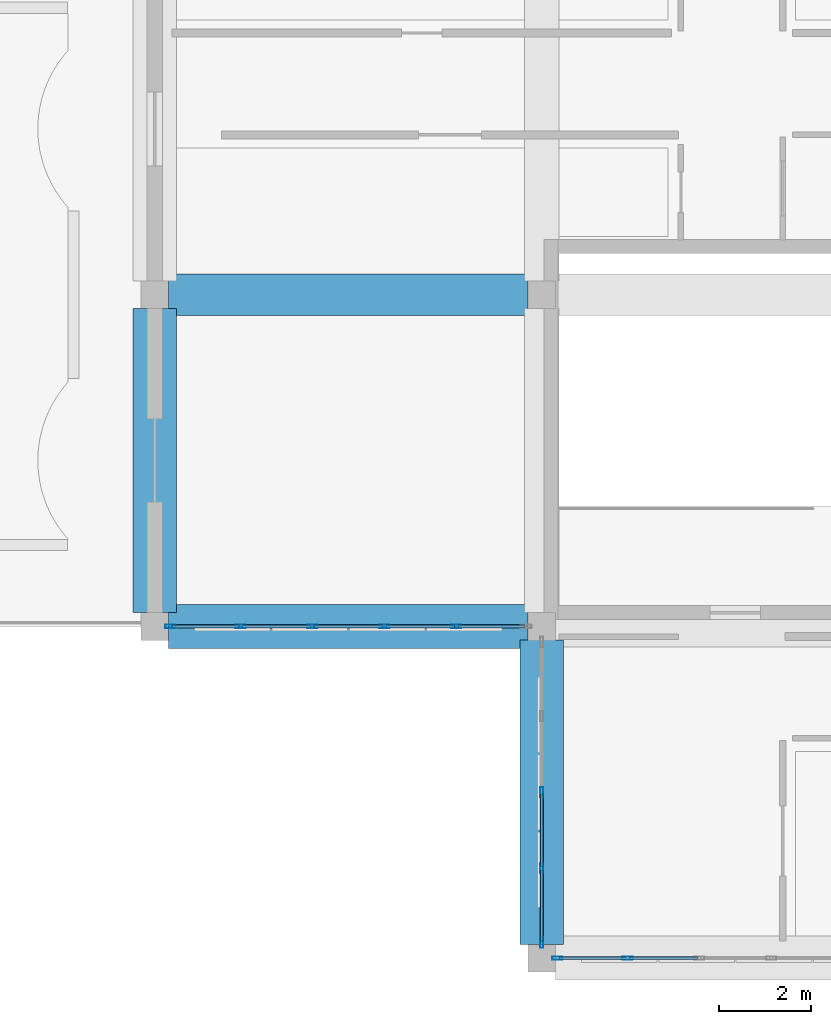
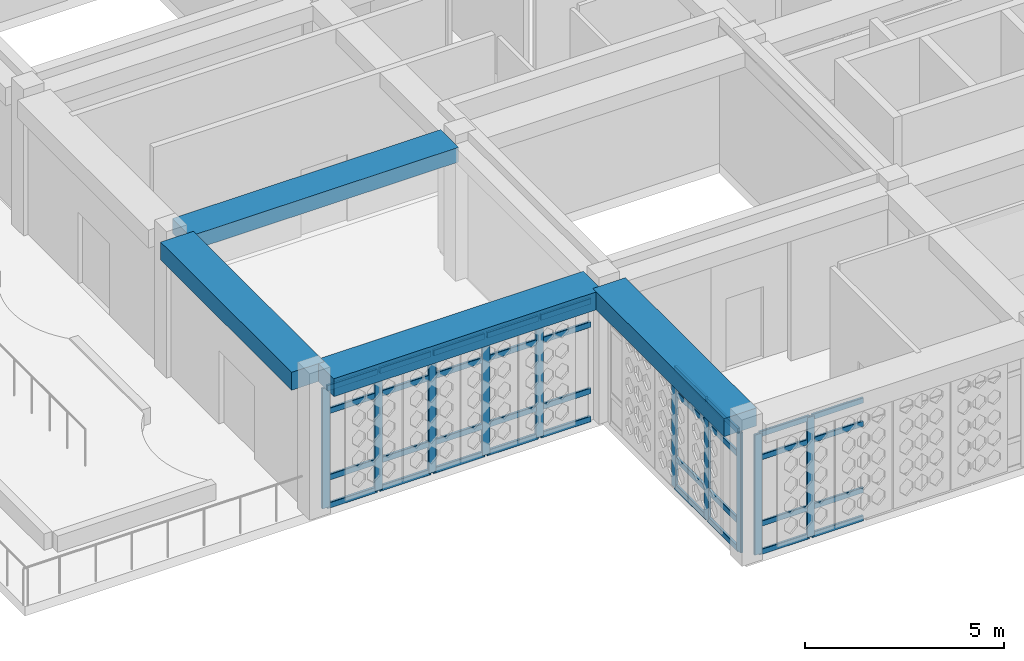
# One storey, part 2 of 28: 46 members, 4 beams, 3 elements without a shape of their own.
"""IFC4 building model written with IfcOpenShell, lengths in metres."""

from ifc_helpers import new_model, si_unit, derived_unit, direction, frame, origin, origin_2d, place, context, subcontext, project, spatial, rectangle, hollow_rectangle, extrude, material, material_profile, profile_set, type_object, element, aggregate, save


model = new_model("IFC4")

# Units and contexts
model_context = context("Model", 3, precision=1e-05, world=origin(), true_north=direction((0.0, 1.0)))
body_context = subcontext(model_context, "Body", "Model", "MODEL_VIEW")
ifc_project = project(units=[si_unit("LENGTHUNIT", "METRE"), si_unit("AREAUNIT", "SQUARE_METRE"), si_unit("VOLUMEUNIT", "CUBIC_METRE"), si_unit("PLANEANGLEUNIT", "RADIAN"), si_unit("MASSUNIT", "GRAM", prefix="KILO"), derived_unit("THERMALTRANSMITTANCEUNIT", [(si_unit("POWERUNIT", "WATT"), 1), (si_unit("LENGTHUNIT", "METRE"), -2), (si_unit("THERMODYNAMICTEMPERATUREUNIT", "KELVIN"), -1)])], contexts=[model_context])

# Site, building, storey
site_placement = place(None, origin())
site = spatial("IfcSite", under=ifc_project, at=site_placement, CompositionType="ELEMENT")
building_placement = place(site_placement, origin())
building = spatial("IfcBuilding", under=site, at=building_placement, Name="Veybourne Emporium", CompositionType="ELEMENT")
storey_placement = place(building_placement, frame((0.0, 0.0, 32.10009765625)))
storey = spatial("IfcBuildingStorey", under=building, at=storey_placement, Name="L07", CompositionType="ELEMENT", Elevation=32.10009765625)

# Curtain wall, members
ifc_material_1 = material(Name="Patinated Architectural Bronze", Category="bronze")
curtain_wall_type_1 = type_object("IfcCurtainWallType", Name="CWSystem_CWS-21", PredefinedType="NOTDEFINED", material=ifc_material_1)
curtain_wall_1_placement = place(storey_placement, origin())
curtain_wall_1 = element("IfcCurtainWall", 1, at=curtain_wall_1_placement, inside=storey, type_object=curtain_wall_type_1, Name="L07 bronze glazed curtain wall CWS-21 (009)", PredefinedType="NOTDEFINED")
ifc_material_profile_1 = material_profile(ifc_material_1, hollow_rectangle(XDim=0.072021484375, YDim=0.22509765625, WallThickness=0.0048828125, InnerFilletRadius=0.007568359375, OuterFilletRadius=0.012451171875, at=origin_2d()), Name="CWM 72x225x5")
ifc_profile_set_1 = profile_set([ifc_material_profile_1], Name="Patinated Architectural Bronze")
member_type_1 = type_object("IfcMemberType", Name="CWMullion_CW-M1", PredefinedType="MULLION", material=ifc_profile_set_1)
member_1_placement = place(storey_placement, frame((16.800048828125, 7.535888671875, 0.0), z_axis=(0.0, 0.0, 1.0), x_axis=(-1.0, 0.0, 0.0)))
member_1 = element("IfcMember", 2, at=member_1_placement, type_object=member_type_1, Name="CWS-21 mullion 1", PredefinedType="MULLION", context=body_context, shape_type="SweptSolid", body=[
    extrude(hollow_rectangle(XDim=0.072021484375, YDim=0.22509765625, WallThickness=0.0048828125, InnerFilletRadius=0.007568359375, OuterFilletRadius=0.012451171875, at=origin_2d()), origin(), (0.0, 0.0, 1.0), 3.68994140625),
])
member_2_placement = place(storey_placement, frame((16.800048828125, 9.14990234375, 0.0), z_axis=(0.0, 0.0, 1.0), x_axis=(-1.0, 0.0, 0.0)))
member_2 = element("IfcMember", 3, at=member_2_placement, type_object=member_type_1, Name="CWS-21 mullion 2", PredefinedType="MULLION", context=body_context, shape_type="SweptSolid", body=[
    extrude(hollow_rectangle(XDim=0.072021484375, YDim=0.22509765625, WallThickness=0.0048828125, InnerFilletRadius=0.007568359375, OuterFilletRadius=0.012451171875, at=origin_2d()), origin(), (0.0, 0.0, 1.0), 3.68994140625),
])
member_3_placement = place(storey_placement, frame((16.800048828125, 10.800048828125, 0.0), z_axis=(0.0, 0.0, 1.0), x_axis=(-1.0, 0.0, 0.0)))
member_3 = element("IfcMember", 4, at=member_3_placement, type_object=member_type_1, Name="CWS-21 mullion 3", PredefinedType="MULLION", context=body_context, shape_type="SweptSolid", body=[
    extrude(hollow_rectangle(XDim=0.072021484375, YDim=0.22509765625, WallThickness=0.0048828125, InnerFilletRadius=0.007568359375, OuterFilletRadius=0.012451171875, at=origin_2d()), origin(), (0.0, 0.0, 1.0), 3.68994140625),
])

curtain_wall_type_2 = type_object("IfcCurtainWallType", Name="CWSystem_CWS-18", PredefinedType="NOTDEFINED", material=ifc_material_1)
curtain_wall_2_placement = place(storey_placement, origin())
curtain_wall_2 = element("IfcCurtainWall", 5, at=curtain_wall_2_placement, inside=storey, type_object=curtain_wall_type_2, Name="L07 bronze glazed curtain wall CWS-18 (001)", PredefinedType="NOTDEFINED")
ifc_material_profile_2 = material_profile(ifc_material_1, hollow_rectangle(XDim=0.074951171875, YDim=0.22998046875, WallThickness=0.0048828125, InnerFilletRadius=0.007568359375, OuterFilletRadius=0.012451171875, at=origin_2d()), Name="CWM 75x230x5")
ifc_profile_set_2 = profile_set([ifc_material_profile_2], Name="Patinated Architectural Bronze")
member_type_2 = type_object("IfcMemberType", Name="CWMullion_CW-M2", PredefinedType="MULLION", material=ifc_profile_set_2)
member_4_placement = place(storey_placement, frame((14.93994140625, 14.39990234375, 0.0), z_axis=(0.0, 0.0, 1.0), x_axis=(0.0, -1.0, 0.0)))
member_4 = element("IfcMember", 6, at=member_4_placement, type_object=member_type_2, Name="CWS-18 mullion 2", PredefinedType="MULLION", context=body_context, shape_type="SweptSolid", body=[
    extrude(hollow_rectangle(XDim=0.074951171875, YDim=0.22998046875, WallThickness=0.0048828125, InnerFilletRadius=0.007568359375, OuterFilletRadius=0.012451171875, at=origin_2d()), origin(), (0.0, 0.0, 1.0), 3.68994140625),
])
member_5_placement = place(storey_placement, frame((13.3798828125, 14.39990234375, 0.0), z_axis=(0.0, 0.0, 1.0), x_axis=(0.0, -1.0, 0.0)))
member_5 = element("IfcMember", 7, at=member_5_placement, type_object=member_type_2, Name="CWS-18 mullion 3", PredefinedType="MULLION", context=body_context, shape_type="SweptSolid", body=[
    extrude(hollow_rectangle(XDim=0.074951171875, YDim=0.22998046875, WallThickness=0.0048828125, InnerFilletRadius=0.007568359375, OuterFilletRadius=0.012451171875, at=origin_2d()), origin(), (0.0, 0.0, 1.0), 3.68994140625),
])
member_6_placement = place(storey_placement, frame((11.820068359375, 14.39990234375, 0.0), z_axis=(0.0, 0.0, 1.0), x_axis=(0.0, -1.0, 0.0)))
member_6 = element("IfcMember", 8, at=member_6_placement, type_object=member_type_2, Name="CWS-18 mullion 4", PredefinedType="MULLION", context=body_context, shape_type="SweptSolid", body=[
    extrude(hollow_rectangle(XDim=0.074951171875, YDim=0.22998046875, WallThickness=0.0048828125, InnerFilletRadius=0.007568359375, OuterFilletRadius=0.012451171875, at=origin_2d()), origin(), (0.0, 0.0, 1.0), 3.68994140625),
])
member_7_placement = place(storey_placement, frame((10.260009765625, 14.39990234375, 0.0), z_axis=(0.0, 0.0, 1.0), x_axis=(0.0, -1.0, 0.0)))
member_7 = element("IfcMember", 9, at=member_7_placement, type_object=member_type_2, Name="CWS-18 mullion 5", PredefinedType="MULLION", context=body_context, shape_type="SweptSolid", body=[
    extrude(hollow_rectangle(XDim=0.074951171875, YDim=0.22998046875, WallThickness=0.0048828125, InnerFilletRadius=0.007568359375, OuterFilletRadius=0.012451171875, at=origin_2d()), origin(), (0.0, 0.0, 1.0), 3.68994140625),
])
member_8_placement = place(storey_placement, frame((8.737548828125, 14.39990234375, 0.0), z_axis=(0.0, 0.0, 1.0), x_axis=(0.0, -1.0, 0.0)))
member_8 = element("IfcMember", 10, at=member_8_placement, type_object=member_type_2, Name="CWS-18 mullion 6", PredefinedType="MULLION", context=body_context, shape_type="SweptSolid", body=[
    extrude(hollow_rectangle(XDim=0.074951171875, YDim=0.22998046875, WallThickness=0.0048828125, InnerFilletRadius=0.007568359375, OuterFilletRadius=0.012451171875, at=origin_2d()), origin(), (0.0, 0.0, 1.0), 3.68994140625),
])

curtain_wall_type_3 = type_object("IfcCurtainWallType", Name="CWSystem_CWS-20", PredefinedType="NOTDEFINED", material=ifc_material_1)
curtain_wall_3_placement = place(storey_placement, origin())
curtain_wall_3 = element("IfcCurtainWall", 11, at=curtain_wall_3_placement, inside=storey, type_object=curtain_wall_type_3, Name="L07 bronze glazed curtain wall CWS-20 (008)", PredefinedType="NOTDEFINED")
ifc_material_profile_3 = material_profile(ifc_material_1, hollow_rectangle(XDim=0.070068359375, YDim=0.219970703125, WallThickness=0.0048828125, InnerFilletRadius=0.007568359375, OuterFilletRadius=0.012451171875, at=origin_2d()), Name="CWM 70x220x5")
ifc_profile_set_3 = profile_set([ifc_material_profile_3], Name="Patinated Architectural Bronze")
member_type_3 = type_object("IfcMemberType", Name="CWMullion_CW-M4", PredefinedType="MULLION", material=ifc_profile_set_3)
member_9_placement = place(storey_placement, frame((18.659912109375, 7.199951171875, 0.0), z_axis=(0.0, 0.0, 1.0), x_axis=(0.0, -1.0, 0.0)))
member_9 = element("IfcMember", 12, at=member_9_placement, type_object=member_type_3, Name="CWS-20 mullion 5", PredefinedType="MULLION", context=body_context, shape_type="SweptSolid", body=[
    extrude(hollow_rectangle(XDim=0.070068359375, YDim=0.219970703125, WallThickness=0.0048828125, InnerFilletRadius=0.007568359375, OuterFilletRadius=0.012451171875, at=origin_2d()), origin(), (0.0, 0.0, 1.0), 3.68994140625),
])
member_10_placement = place(storey_placement, frame((17.135009765625, 7.199951171875, 0.0), z_axis=(0.0, 0.0, 1.0), x_axis=(0.0, -1.0, 0.0)))
member_10 = element("IfcMember", 13, at=member_10_placement, type_object=member_type_3, Name="CWS-20 mullion 6", PredefinedType="MULLION", context=body_context, shape_type="SweptSolid", body=[
    extrude(hollow_rectangle(XDim=0.070068359375, YDim=0.219970703125, WallThickness=0.0048828125, InnerFilletRadius=0.007568359375, OuterFilletRadius=0.012451171875, at=origin_2d()), origin(), (0.0, 0.0, 1.0), 3.68994140625),
])

# Member
ifc_material_profile_4 = material_profile(ifc_material_1, hollow_rectangle(XDim=0.072021484375, YDim=0.175048828125, WallThickness=0.0048828125, InnerFilletRadius=0.007568359375, OuterFilletRadius=0.012451171875, at=origin_2d()), Name="CWT 72x175x5")
ifc_profile_set_4 = profile_set([ifc_material_profile_4], Name="Patinated Architectural Bronze")
member_type_4 = type_object("IfcMemberType", Name="CWTransom_CW-T1", PredefinedType="NOTDEFINED", material=ifc_profile_set_4)
member_11_placement = place(storey_placement, frame((16.800048828125, 7.572021484375, 0.035888671875), z_axis=(0.0, 1.0, 0.0), x_axis=(-1.0, 0.0, 0.0)))
member_11 = element("IfcMember", 14, at=member_11_placement, type_object=member_type_4, Name="CWS-21 transom 1.1", ObjectType="TRANSOM", PredefinedType="USERDEFINED", context=body_context, shape_type="SweptSolid", body=[
    extrude(hollow_rectangle(XDim=0.072021484375, YDim=0.175048828125, WallThickness=0.0048828125, InnerFilletRadius=0.007568359375, OuterFilletRadius=0.012451171875, at=origin_2d()), origin(), (0.0, 0.0, 1.0), 1.5419921875),
])

member_12_placement = place(storey_placement, frame((16.800048828125, 7.572021484375, 0.89990234375), z_axis=(0.0, 1.0, 0.0), x_axis=(-1.0, 0.0, 0.0)))
member_12 = element("IfcMember", 15, at=member_12_placement, type_object=member_type_4, Name="CWS-21 transom 1.2", ObjectType="TRANSOM", PredefinedType="USERDEFINED", context=body_context, shape_type="SweptSolid", body=[
    extrude(hollow_rectangle(XDim=0.072021484375, YDim=0.175048828125, WallThickness=0.0048828125, InnerFilletRadius=0.007568359375, OuterFilletRadius=0.012451171875, at=origin_2d()), origin(), (0.0, 0.0, 1.0), 1.5419921875),
])

member_13_placement = place(storey_placement, frame((16.800048828125, 7.572021484375, 2.93994140625), z_axis=(0.0, 1.0, 0.0), x_axis=(-1.0, 0.0, 0.0)))
member_13 = element("IfcMember", 16, at=member_13_placement, type_object=member_type_4, Name="CWS-21 transom 1.3", ObjectType="TRANSOM", PredefinedType="USERDEFINED", context=body_context, shape_type="SweptSolid", body=[
    extrude(hollow_rectangle(XDim=0.072021484375, YDim=0.175048828125, WallThickness=0.0048828125, InnerFilletRadius=0.007568359375, OuterFilletRadius=0.012451171875, at=origin_2d()), origin(), (0.0, 0.0, 1.0), 1.5419921875),
])

member_14_placement = place(storey_placement, frame((16.800048828125, 7.572021484375, 3.65380859375), z_axis=(0.0, 1.0, 0.0), x_axis=(-1.0, 0.0, 0.0)))
member_14 = element("IfcMember", 17, at=member_14_placement, type_object=member_type_4, Name="CWS-21 transom 1.4", ObjectType="TRANSOM", PredefinedType="USERDEFINED", context=body_context, shape_type="SweptSolid", body=[
    extrude(hollow_rectangle(XDim=0.072021484375, YDim=0.175048828125, WallThickness=0.0048828125, InnerFilletRadius=0.007568359375, OuterFilletRadius=0.012451171875, at=origin_2d()), origin(), (0.0, 0.0, 1.0), 1.5419921875),
])

member_15_placement = place(storey_placement, frame((16.800048828125, 9.18603515625, 0.035888671875), z_axis=(0.0, 1.0, 0.0), x_axis=(-1.0, 0.0, 0.0)))
member_15 = element("IfcMember", 18, at=member_15_placement, type_object=member_type_4, Name="CWS-21 transom 2.1", ObjectType="TRANSOM", PredefinedType="USERDEFINED", context=body_context, shape_type="SweptSolid", body=[
    extrude(hollow_rectangle(XDim=0.072021484375, YDim=0.175048828125, WallThickness=0.0048828125, InnerFilletRadius=0.007568359375, OuterFilletRadius=0.012451171875, at=origin_2d()), origin(), (0.0, 0.0, 1.0), 1.577880859375),
])

member_16_placement = place(storey_placement, frame((16.800048828125, 9.18603515625, 0.89990234375), z_axis=(0.0, 1.0, 0.0), x_axis=(-1.0, 0.0, 0.0)))
member_16 = element("IfcMember", 19, at=member_16_placement, type_object=member_type_4, Name="CWS-21 transom 2.2", ObjectType="TRANSOM", PredefinedType="USERDEFINED", context=body_context, shape_type="SweptSolid", body=[
    extrude(hollow_rectangle(XDim=0.072021484375, YDim=0.175048828125, WallThickness=0.0048828125, InnerFilletRadius=0.007568359375, OuterFilletRadius=0.012451171875, at=origin_2d()), origin(), (0.0, 0.0, 1.0), 1.577880859375),
])

member_17_placement = place(storey_placement, frame((16.800048828125, 9.18603515625, 2.93994140625), z_axis=(0.0, 1.0, 0.0), x_axis=(-1.0, 0.0, 0.0)))
member_17 = element("IfcMember", 20, at=member_17_placement, type_object=member_type_4, Name="CWS-21 transom 2.3", ObjectType="TRANSOM", PredefinedType="USERDEFINED", context=body_context, shape_type="SweptSolid", body=[
    extrude(hollow_rectangle(XDim=0.072021484375, YDim=0.175048828125, WallThickness=0.0048828125, InnerFilletRadius=0.007568359375, OuterFilletRadius=0.012451171875, at=origin_2d()), origin(), (0.0, 0.0, 1.0), 1.577880859375),
])

member_18_placement = place(storey_placement, frame((16.800048828125, 9.18603515625, 3.65380859375), z_axis=(0.0, 1.0, 0.0), x_axis=(-1.0, 0.0, 0.0)))
member_18 = element("IfcMember", 21, at=member_18_placement, type_object=member_type_4, Name="CWS-21 transom 2.4", ObjectType="TRANSOM", PredefinedType="USERDEFINED", context=body_context, shape_type="SweptSolid", body=[
    extrude(hollow_rectangle(XDim=0.072021484375, YDim=0.175048828125, WallThickness=0.0048828125, InnerFilletRadius=0.007568359375, OuterFilletRadius=0.012451171875, at=origin_2d()), origin(), (0.0, 0.0, 1.0), 1.577880859375),
])

aggregate(curtain_wall_1, [member_1, member_2, member_3, member_11, member_12, member_13, member_14, member_15, member_16, member_17, member_18])

ifc_material_profile_5 = material_profile(ifc_material_1, hollow_rectangle(XDim=0.074951171875, YDim=0.179931640625, WallThickness=0.0048828125, InnerFilletRadius=0.007568359375, OuterFilletRadius=0.012451171875, at=origin_2d()), Name="CWT 75x180x5")
ifc_profile_set_5 = profile_set([ifc_material_profile_5], Name="Patinated Architectural Bronze")
member_type_5 = type_object("IfcMemberType", Name="CWTransom_CW-T2", PredefinedType="NOTDEFINED", material=ifc_profile_set_5)
member_19_placement = place(storey_placement, frame((16.425048828125, 14.39990234375, 0.037353515625), z_axis=(-1.0, 0.0, 0.0), x_axis=(0.0, -1.0, 0.0)))
member_19 = element("IfcMember", 22, at=member_19_placement, type_object=member_type_5, Name="CWS-18 transom 1.1", ObjectType="TRANSOM", PredefinedType="USERDEFINED", context=body_context, shape_type="SweptSolid", body=[
    extrude(hollow_rectangle(XDim=0.074951171875, YDim=0.179931640625, WallThickness=0.0048828125, InnerFilletRadius=0.007568359375, OuterFilletRadius=0.012451171875, at=origin_2d()), origin(), (0.0, 0.0, 1.0), 1.447509765625),
])

member_20_placement = place(storey_placement, frame((16.425048828125, 14.39990234375, 0.89990234375), z_axis=(-1.0, 0.0, 0.0), x_axis=(0.0, -1.0, 0.0)))
member_20 = element("IfcMember", 23, at=member_20_placement, type_object=member_type_5, Name="CWS-18 transom 1.2", ObjectType="TRANSOM", PredefinedType="USERDEFINED", context=body_context, shape_type="SweptSolid", body=[
    extrude(hollow_rectangle(XDim=0.074951171875, YDim=0.179931640625, WallThickness=0.0048828125, InnerFilletRadius=0.007568359375, OuterFilletRadius=0.012451171875, at=origin_2d()), origin(), (0.0, 0.0, 1.0), 1.447509765625),
])

member_21_placement = place(storey_placement, frame((16.425048828125, 14.39990234375, 2.93994140625), z_axis=(-1.0, 0.0, 0.0), x_axis=(0.0, -1.0, 0.0)))
member_21 = element("IfcMember", 24, at=member_21_placement, type_object=member_type_5, Name="CWS-18 transom 1.3", ObjectType="TRANSOM", PredefinedType="USERDEFINED", context=body_context, shape_type="SweptSolid", body=[
    extrude(hollow_rectangle(XDim=0.074951171875, YDim=0.179931640625, WallThickness=0.0048828125, InnerFilletRadius=0.007568359375, OuterFilletRadius=0.012451171875, at=origin_2d()), origin(), (0.0, 0.0, 1.0), 1.447509765625),
])

member_22_placement = place(storey_placement, frame((16.425048828125, 14.39990234375, 3.65234375), z_axis=(-1.0, 0.0, 0.0), x_axis=(0.0, -1.0, 0.0)))
member_22 = element("IfcMember", 25, at=member_22_placement, type_object=member_type_5, Name="CWS-18 transom 1.4", ObjectType="TRANSOM", PredefinedType="USERDEFINED", context=body_context, shape_type="SweptSolid", body=[
    extrude(hollow_rectangle(XDim=0.074951171875, YDim=0.179931640625, WallThickness=0.0048828125, InnerFilletRadius=0.007568359375, OuterFilletRadius=0.012451171875, at=origin_2d()), origin(), (0.0, 0.0, 1.0), 1.447509765625),
])

member_23_placement = place(storey_placement, frame((14.902587890625, 14.39990234375, 0.037353515625), z_axis=(-1.0, 0.0, 0.0), x_axis=(0.0, -1.0, 0.0)))
member_23 = element("IfcMember", 26, at=member_23_placement, type_object=member_type_5, Name="CWS-18 transom 2.1", ObjectType="TRANSOM", PredefinedType="USERDEFINED", context=body_context, shape_type="SweptSolid", body=[
    extrude(hollow_rectangle(XDim=0.074951171875, YDim=0.179931640625, WallThickness=0.0048828125, InnerFilletRadius=0.007568359375, OuterFilletRadius=0.012451171875, at=origin_2d()), origin(), (0.0, 0.0, 1.0), 1.485107421875),
])

member_24_placement = place(storey_placement, frame((14.902587890625, 14.39990234375, 0.89990234375), z_axis=(-1.0, 0.0, 0.0), x_axis=(0.0, -1.0, 0.0)))
member_24 = element("IfcMember", 27, at=member_24_placement, type_object=member_type_5, Name="CWS-18 transom 2.2", ObjectType="TRANSOM", PredefinedType="USERDEFINED", context=body_context, shape_type="SweptSolid", body=[
    extrude(hollow_rectangle(XDim=0.074951171875, YDim=0.179931640625, WallThickness=0.0048828125, InnerFilletRadius=0.007568359375, OuterFilletRadius=0.012451171875, at=origin_2d()), origin(), (0.0, 0.0, 1.0), 1.485107421875),
])

member_25_placement = place(storey_placement, frame((14.902587890625, 14.39990234375, 2.93994140625), z_axis=(-1.0, 0.0, 0.0), x_axis=(0.0, -1.0, 0.0)))
member_25 = element("IfcMember", 28, at=member_25_placement, type_object=member_type_5, Name="CWS-18 transom 2.3", ObjectType="TRANSOM", PredefinedType="USERDEFINED", context=body_context, shape_type="SweptSolid", body=[
    extrude(hollow_rectangle(XDim=0.074951171875, YDim=0.179931640625, WallThickness=0.0048828125, InnerFilletRadius=0.007568359375, OuterFilletRadius=0.012451171875, at=origin_2d()), origin(), (0.0, 0.0, 1.0), 1.485107421875),
])

member_26_placement = place(storey_placement, frame((14.902587890625, 14.39990234375, 3.65234375), z_axis=(-1.0, 0.0, 0.0), x_axis=(0.0, -1.0, 0.0)))
member_26 = element("IfcMember", 29, at=member_26_placement, type_object=member_type_5, Name="CWS-18 transom 2.4", ObjectType="TRANSOM", PredefinedType="USERDEFINED", context=body_context, shape_type="SweptSolid", body=[
    extrude(hollow_rectangle(XDim=0.074951171875, YDim=0.179931640625, WallThickness=0.0048828125, InnerFilletRadius=0.007568359375, OuterFilletRadius=0.012451171875, at=origin_2d()), origin(), (0.0, 0.0, 1.0), 1.485107421875),
])

member_27_placement = place(storey_placement, frame((13.342529296875, 14.39990234375, 0.037353515625), z_axis=(-1.0, 0.0, 0.0), x_axis=(0.0, -1.0, 0.0)))
member_27 = element("IfcMember", 30, at=member_27_placement, type_object=member_type_5, Name="CWS-18 transom 3.1", ObjectType="TRANSOM", PredefinedType="USERDEFINED", context=body_context, shape_type="SweptSolid", body=[
    extrude(hollow_rectangle(XDim=0.074951171875, YDim=0.179931640625, WallThickness=0.0048828125, InnerFilletRadius=0.007568359375, OuterFilletRadius=0.012451171875, at=origin_2d()), origin(), (0.0, 0.0, 1.0), 1.485107421875),
])

member_28_placement = place(storey_placement, frame((13.342529296875, 14.39990234375, 0.89990234375), z_axis=(-1.0, 0.0, 0.0), x_axis=(0.0, -1.0, 0.0)))
member_28 = element("IfcMember", 31, at=member_28_placement, type_object=member_type_5, Name="CWS-18 transom 3.2", ObjectType="TRANSOM", PredefinedType="USERDEFINED", context=body_context, shape_type="SweptSolid", body=[
    extrude(hollow_rectangle(XDim=0.074951171875, YDim=0.179931640625, WallThickness=0.0048828125, InnerFilletRadius=0.007568359375, OuterFilletRadius=0.012451171875, at=origin_2d()), origin(), (0.0, 0.0, 1.0), 1.485107421875),
])

member_29_placement = place(storey_placement, frame((13.342529296875, 14.39990234375, 2.93994140625), z_axis=(-1.0, 0.0, 0.0), x_axis=(0.0, -1.0, 0.0)))
member_29 = element("IfcMember", 32, at=member_29_placement, type_object=member_type_5, Name="CWS-18 transom 3.3", ObjectType="TRANSOM", PredefinedType="USERDEFINED", context=body_context, shape_type="SweptSolid", body=[
    extrude(hollow_rectangle(XDim=0.074951171875, YDim=0.179931640625, WallThickness=0.0048828125, InnerFilletRadius=0.007568359375, OuterFilletRadius=0.012451171875, at=origin_2d()), origin(), (0.0, 0.0, 1.0), 1.485107421875),
])

member_30_placement = place(storey_placement, frame((13.342529296875, 14.39990234375, 3.65234375), z_axis=(-1.0, 0.0, 0.0), x_axis=(0.0, -1.0, 0.0)))
member_30 = element("IfcMember", 33, at=member_30_placement, type_object=member_type_5, Name="CWS-18 transom 3.4", ObjectType="TRANSOM", PredefinedType="USERDEFINED", context=body_context, shape_type="SweptSolid", body=[
    extrude(hollow_rectangle(XDim=0.074951171875, YDim=0.179931640625, WallThickness=0.0048828125, InnerFilletRadius=0.007568359375, OuterFilletRadius=0.012451171875, at=origin_2d()), origin(), (0.0, 0.0, 1.0), 1.485107421875),
])

member_31_placement = place(storey_placement, frame((11.782470703125, 14.39990234375, 0.037353515625), z_axis=(-1.0, 0.0, 0.0), x_axis=(0.0, -1.0, 0.0)))
member_31 = element("IfcMember", 34, at=member_31_placement, type_object=member_type_5, Name="CWS-18 transom 4.1", ObjectType="TRANSOM", PredefinedType="USERDEFINED", context=body_context, shape_type="SweptSolid", body=[
    extrude(hollow_rectangle(XDim=0.074951171875, YDim=0.179931640625, WallThickness=0.0048828125, InnerFilletRadius=0.007568359375, OuterFilletRadius=0.012451171875, at=origin_2d()), origin(), (0.0, 0.0, 1.0), 1.48486328125),
])

member_32_placement = place(storey_placement, frame((11.782470703125, 14.39990234375, 0.89990234375), z_axis=(-1.0, 0.0, 0.0), x_axis=(0.0, -1.0, 0.0)))
member_32 = element("IfcMember", 35, at=member_32_placement, type_object=member_type_5, Name="CWS-18 transom 4.2", ObjectType="TRANSOM", PredefinedType="USERDEFINED", context=body_context, shape_type="SweptSolid", body=[
    extrude(hollow_rectangle(XDim=0.074951171875, YDim=0.179931640625, WallThickness=0.0048828125, InnerFilletRadius=0.007568359375, OuterFilletRadius=0.012451171875, at=origin_2d()), origin(), (0.0, 0.0, 1.0), 1.48486328125),
])

member_33_placement = place(storey_placement, frame((11.782470703125, 14.39990234375, 2.93994140625), z_axis=(-1.0, 0.0, 0.0), x_axis=(0.0, -1.0, 0.0)))
member_33 = element("IfcMember", 36, at=member_33_placement, type_object=member_type_5, Name="CWS-18 transom 4.3", ObjectType="TRANSOM", PredefinedType="USERDEFINED", context=body_context, shape_type="SweptSolid", body=[
    extrude(hollow_rectangle(XDim=0.074951171875, YDim=0.179931640625, WallThickness=0.0048828125, InnerFilletRadius=0.007568359375, OuterFilletRadius=0.012451171875, at=origin_2d()), origin(), (0.0, 0.0, 1.0), 1.48486328125),
])

member_34_placement = place(storey_placement, frame((11.782470703125, 14.39990234375, 3.65234375), z_axis=(-1.0, 0.0, 0.0), x_axis=(0.0, -1.0, 0.0)))
member_34 = element("IfcMember", 37, at=member_34_placement, type_object=member_type_5, Name="CWS-18 transom 4.4", ObjectType="TRANSOM", PredefinedType="USERDEFINED", context=body_context, shape_type="SweptSolid", body=[
    extrude(hollow_rectangle(XDim=0.074951171875, YDim=0.179931640625, WallThickness=0.0048828125, InnerFilletRadius=0.007568359375, OuterFilletRadius=0.012451171875, at=origin_2d()), origin(), (0.0, 0.0, 1.0), 1.48486328125),
])

member_35_placement = place(storey_placement, frame((10.222412109375, 14.39990234375, 0.037353515625), z_axis=(-1.0, 0.0, 0.0), x_axis=(0.0, -1.0, 0.0)))
member_35 = element("IfcMember", 38, at=member_35_placement, type_object=member_type_5, Name="CWS-18 transom 5.1", ObjectType="TRANSOM", PredefinedType="USERDEFINED", context=body_context, shape_type="SweptSolid", body=[
    extrude(hollow_rectangle(XDim=0.074951171875, YDim=0.179931640625, WallThickness=0.0048828125, InnerFilletRadius=0.007568359375, OuterFilletRadius=0.012451171875, at=origin_2d()), origin(), (0.0, 0.0, 1.0), 1.447509765625),
])

member_36_placement = place(storey_placement, frame((10.222412109375, 14.39990234375, 0.89990234375), z_axis=(-1.0, 0.0, 0.0), x_axis=(0.0, -1.0, 0.0)))
member_36 = element("IfcMember", 39, at=member_36_placement, type_object=member_type_5, Name="CWS-18 transom 5.2", ObjectType="TRANSOM", PredefinedType="USERDEFINED", context=body_context, shape_type="SweptSolid", body=[
    extrude(hollow_rectangle(XDim=0.074951171875, YDim=0.179931640625, WallThickness=0.0048828125, InnerFilletRadius=0.007568359375, OuterFilletRadius=0.012451171875, at=origin_2d()), origin(), (0.0, 0.0, 1.0), 1.447509765625),
])

member_37_placement = place(storey_placement, frame((10.222412109375, 14.39990234375, 2.93994140625), z_axis=(-1.0, 0.0, 0.0), x_axis=(0.0, -1.0, 0.0)))
member_37 = element("IfcMember", 40, at=member_37_placement, type_object=member_type_5, Name="CWS-18 transom 5.3", ObjectType="TRANSOM", PredefinedType="USERDEFINED", context=body_context, shape_type="SweptSolid", body=[
    extrude(hollow_rectangle(XDim=0.074951171875, YDim=0.179931640625, WallThickness=0.0048828125, InnerFilletRadius=0.007568359375, OuterFilletRadius=0.012451171875, at=origin_2d()), origin(), (0.0, 0.0, 1.0), 1.447509765625),
])

member_38_placement = place(storey_placement, frame((10.222412109375, 14.39990234375, 3.65234375), z_axis=(-1.0, 0.0, 0.0), x_axis=(0.0, -1.0, 0.0)))
member_38 = element("IfcMember", 41, at=member_38_placement, type_object=member_type_5, Name="CWS-18 transom 5.4", ObjectType="TRANSOM", PredefinedType="USERDEFINED", context=body_context, shape_type="SweptSolid", body=[
    extrude(hollow_rectangle(XDim=0.074951171875, YDim=0.179931640625, WallThickness=0.0048828125, InnerFilletRadius=0.007568359375, OuterFilletRadius=0.012451171875, at=origin_2d()), origin(), (0.0, 0.0, 1.0), 1.447509765625),
])

aggregate(curtain_wall_2, [member_4, member_5, member_6, member_7, member_8, member_19, member_20, member_21, member_22, member_23, member_24, member_25, member_26, member_27, member_28, member_29, member_30, member_31, member_32, member_33, member_34, member_35, member_36, member_37, member_38])

ifc_material_profile_6 = material_profile(ifc_material_1, hollow_rectangle(XDim=0.070068359375, YDim=0.169921875, WallThickness=0.0048828125, InnerFilletRadius=0.007568359375, OuterFilletRadius=0.012451171875, at=origin_2d()), Name="CWT 70x170x5")
ifc_profile_set_6 = profile_set([ifc_material_profile_6], Name="Patinated Architectural Bronze")
member_type_6 = type_object("IfcMemberType", Name="CWTransom_CW-T4", PredefinedType="NOTDEFINED", material=ifc_profile_set_6)
member_39_placement = place(storey_placement, frame((20.18505859375, 7.199951171875, 0.034912109375), z_axis=(-1.0, 0.0, 0.0), x_axis=(0.0, -1.0, 0.0)))
member_39 = element("IfcMember", 42, at=member_39_placement, type_object=member_type_6, Name="CWS-20 transom 4.1", ObjectType="TRANSOM", PredefinedType="USERDEFINED", context=body_context, shape_type="SweptSolid", body=[
    extrude(hollow_rectangle(XDim=0.070068359375, YDim=0.169921875, WallThickness=0.0048828125, InnerFilletRadius=0.007568359375, OuterFilletRadius=0.012451171875, at=origin_2d()), origin(), (0.0, 0.0, 1.0), 1.489990234375),
])

member_40_placement = place(storey_placement, frame((20.18505859375, 7.199951171875, 0.89990234375), z_axis=(-1.0, 0.0, 0.0), x_axis=(0.0, -1.0, 0.0)))
member_40 = element("IfcMember", 43, at=member_40_placement, type_object=member_type_6, Name="CWS-20 transom 4.2", ObjectType="TRANSOM", PredefinedType="USERDEFINED", context=body_context, shape_type="SweptSolid", body=[
    extrude(hollow_rectangle(XDim=0.070068359375, YDim=0.169921875, WallThickness=0.0048828125, InnerFilletRadius=0.007568359375, OuterFilletRadius=0.012451171875, at=origin_2d()), origin(), (0.0, 0.0, 1.0), 1.489990234375),
])

member_41_placement = place(storey_placement, frame((20.18505859375, 7.199951171875, 2.93994140625), z_axis=(-1.0, 0.0, 0.0), x_axis=(0.0, -1.0, 0.0)))
member_41 = element("IfcMember", 44, at=member_41_placement, type_object=member_type_6, Name="CWS-20 transom 4.3", ObjectType="TRANSOM", PredefinedType="USERDEFINED", context=body_context, shape_type="SweptSolid", body=[
    extrude(hollow_rectangle(XDim=0.070068359375, YDim=0.169921875, WallThickness=0.0048828125, InnerFilletRadius=0.007568359375, OuterFilletRadius=0.012451171875, at=origin_2d()), origin(), (0.0, 0.0, 1.0), 1.489990234375),
])

member_42_placement = place(storey_placement, frame((20.18505859375, 7.199951171875, 3.65478515625), z_axis=(-1.0, 0.0, 0.0), x_axis=(0.0, -1.0, 0.0)))
member_42 = element("IfcMember", 45, at=member_42_placement, type_object=member_type_6, Name="CWS-20 transom 4.4", ObjectType="TRANSOM", PredefinedType="USERDEFINED", context=body_context, shape_type="SweptSolid", body=[
    extrude(hollow_rectangle(XDim=0.070068359375, YDim=0.169921875, WallThickness=0.0048828125, InnerFilletRadius=0.007568359375, OuterFilletRadius=0.012451171875, at=origin_2d()), origin(), (0.0, 0.0, 1.0), 1.489990234375),
])

member_43_placement = place(storey_placement, frame((18.625, 7.199951171875, 0.034912109375), z_axis=(-1.0, 0.0, 0.0), x_axis=(0.0, -1.0, 0.0)))
member_43 = element("IfcMember", 46, at=member_43_placement, type_object=member_type_6, Name="CWS-20 transom 5.1", ObjectType="TRANSOM", PredefinedType="USERDEFINED", context=body_context, shape_type="SweptSolid", body=[
    extrude(hollow_rectangle(XDim=0.070068359375, YDim=0.169921875, WallThickness=0.0048828125, InnerFilletRadius=0.007568359375, OuterFilletRadius=0.012451171875, at=origin_2d()), origin(), (0.0, 0.0, 1.0), 1.455078125),
])

member_44_placement = place(storey_placement, frame((18.625, 7.199951171875, 0.89990234375), z_axis=(-1.0, 0.0, 0.0), x_axis=(0.0, -1.0, 0.0)))
member_44 = element("IfcMember", 47, at=member_44_placement, type_object=member_type_6, Name="CWS-20 transom 5.2", ObjectType="TRANSOM", PredefinedType="USERDEFINED", context=body_context, shape_type="SweptSolid", body=[
    extrude(hollow_rectangle(XDim=0.070068359375, YDim=0.169921875, WallThickness=0.0048828125, InnerFilletRadius=0.007568359375, OuterFilletRadius=0.012451171875, at=origin_2d()), origin(), (0.0, 0.0, 1.0), 1.455078125),
])

member_45_placement = place(storey_placement, frame((18.625, 7.199951171875, 2.93994140625), z_axis=(-1.0, 0.0, 0.0), x_axis=(0.0, -1.0, 0.0)))
member_45 = element("IfcMember", 48, at=member_45_placement, type_object=member_type_6, Name="CWS-20 transom 5.3", ObjectType="TRANSOM", PredefinedType="USERDEFINED", context=body_context, shape_type="SweptSolid", body=[
    extrude(hollow_rectangle(XDim=0.070068359375, YDim=0.169921875, WallThickness=0.0048828125, InnerFilletRadius=0.007568359375, OuterFilletRadius=0.012451171875, at=origin_2d()), origin(), (0.0, 0.0, 1.0), 1.455078125),
])

member_46_placement = place(storey_placement, frame((18.625, 7.199951171875, 3.65478515625), z_axis=(-1.0, 0.0, 0.0), x_axis=(0.0, -1.0, 0.0)))
member_46 = element("IfcMember", 49, at=member_46_placement, type_object=member_type_6, Name="CWS-20 transom 5.4", ObjectType="TRANSOM", PredefinedType="USERDEFINED", context=body_context, shape_type="SweptSolid", body=[
    extrude(hollow_rectangle(XDim=0.070068359375, YDim=0.169921875, WallThickness=0.0048828125, InnerFilletRadius=0.007568359375, OuterFilletRadius=0.012451171875, at=origin_2d()), origin(), (0.0, 0.0, 1.0), 1.455078125),
])

aggregate(curtain_wall_3, [member_9, member_10, member_39, member_40, member_41, member_42, member_43, member_44, member_45, member_46])

# Beams
ifc_material_2 = material(Name="Concrete C32/40", Category="concrete")
ifc_material_profile_7 = material_profile(ifc_material_2, rectangle(XDim=0.89990234375, YDim=0.449951171875, at=origin_2d()), Name="RC 900x450")
ifc_profile_set_7 = profile_set([ifc_material_profile_7], Name="Concrete C32/40")
beam_type_1 = type_object("IfcBeamType", Name="RCBeam_BB-03", PredefinedType="BEAM", material=ifc_profile_set_7)
beam_1_placement = place(storey_placement, frame((8.699951171875, 21.60009765625, 4.014892578125), z_axis=(1.0, 0.0, 0.0), x_axis=(0.0, 1.0, 0.0)))
element("IfcBeam", 50, at=beam_1_placement, inside=storey, type_object=beam_type_1, Name="L07 X-grid beam BB-03 (1,3)", PredefinedType="BEAM", context=body_context, shape_type="SweptSolid", body=[
    extrude(rectangle(XDim=0.89990234375, YDim=0.449951171875, at=origin_2d()), origin(), (0.0, 0.0, 1.0), 7.800048828125),
])
ifc_material_profile_8 = material_profile(ifc_material_2, rectangle(XDim=0.949951171875, YDim=0.550048828125, at=origin_2d()), Name="RC 950x550")
ifc_profile_set_8 = profile_set([ifc_material_profile_8], Name="Concrete C32/40")
beam_type_2 = type_object("IfcBeamType", Name="RCBeam_EB-01", PredefinedType="SPANDREL", material=ifc_profile_set_8)
beam_2_placement = place(storey_placement, frame((8.699951171875, 14.39990234375, 3.96484375), z_axis=(1.0, 0.0, 0.0), x_axis=(0.0, 1.0, 0.0)))
element("IfcBeam", 51, at=beam_2_placement, inside=storey, type_object=beam_type_2, Name="L07 X-grid beam EB-01 (1,2)", PredefinedType="SPANDREL", context=body_context, shape_type="SweptSolid", body=[
    extrude(rectangle(XDim=0.949951171875, YDim=0.550048828125, at=origin_2d()), origin(), (0.0, 0.0, 1.0), 7.800048828125),
])
for number, where, z_axis, x_axis, name in (
    (52, (8.39990234375, 14.699951171875, 3.96484375), (0.0, 1.0, 0.0), (-1.0, 0.0, 0.0), "L07 Y-grid beam EB-01 (1,2)"),
    (53, (16.800048828125, 7.5, 3.96484375), (0.0, 1.0, 0.0), (-1.0, 0.0, 0.0), "L07 Y-grid beam EB-01 (2,1)"),
):
    element("IfcBeam", number, at=place(storey_placement, frame(where, z_axis=z_axis, x_axis=x_axis)), inside=storey, type_object=beam_type_2, Name=name, PredefinedType="SPANDREL", context=body_context, shape_type="SweptSolid", body=[
        extrude(rectangle(XDim=0.949951171875, YDim=0.550048828125, at=origin_2d()), origin(), (0.0, 0.0, 1.0), 6.60009765625),
    ])

save(model, "model.ifc")
